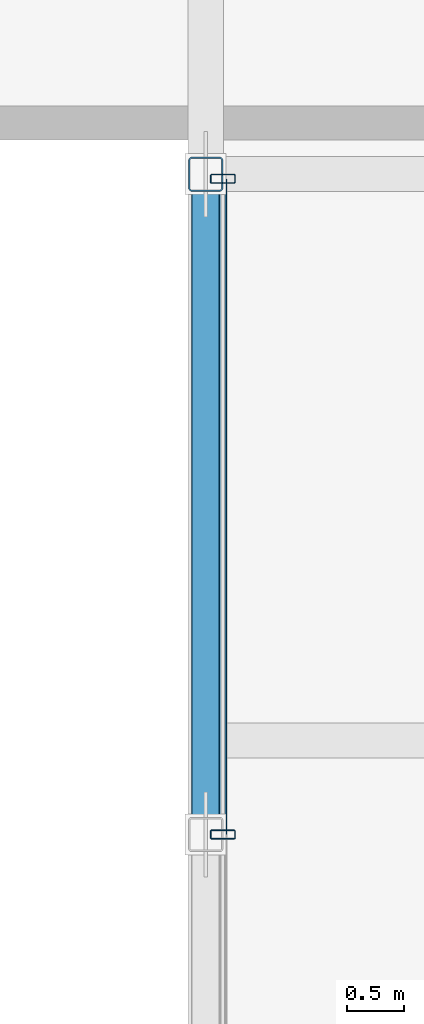
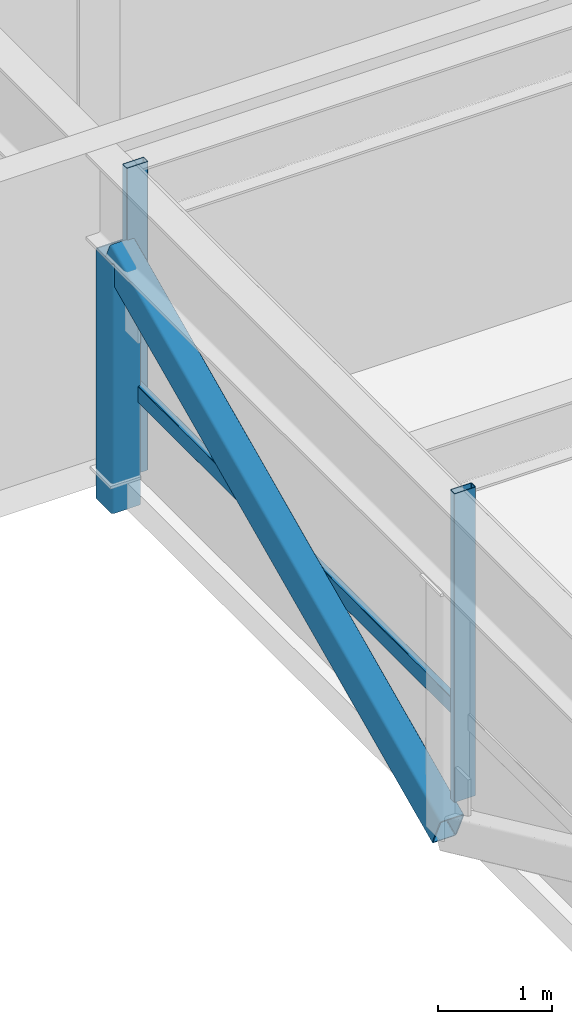
# One storey, part 6 of 36: 5 members, 1 element without a shape of its own.
"""IFC4 building model written with IfcOpenShell, lengths in metres."""

import ifcopenshell
import ifcopenshell.guid

model = None  # the IFC model being written
_history = None  # IfcOwnerHistory: only IFC2X3 demands one
_inside = {}  # id of a spatial element -> (the spatial element, [elements in it])
_under = {}  # id of a project, library or spatial element -> (it, [spatial elements below it])
_declared = {}  # id of a project -> (the project, [libraries it declares])
_typed = {}  # id of a type object -> (the type object, [elements of that type])
_made_of = {}  # id of a material, layer set ... -> (it, [elements and type objects made of it])


def new_model(schema):
    """Start an empty IFC model of exactly this schema.

    Asked for "IFC4X3", IfcOpenShell would pick the latest addendum, in which some entities
    have other attributes; the version numbers below select the first issue.
    IFC2X3 requires an IfcOwnerHistory on every rooted entity: one is made here for all.
    """
    global model, _history
    if schema == "IFC4X3":
        model = ifcopenshell.file(schema_version=(4, 3, 0, 0))
    else:
        model = ifcopenshell.file(schema=schema)
    _inside.clear()
    _under.clear()
    _declared.clear()
    _typed.clear()
    _made_of.clear()
    _history = None
    if model.schema == "IFC2X3":
        org = make("IfcOrganization", Name="unknown")
        user = make(
            "IfcPersonAndOrganization",
            ThePerson=make("IfcPerson", FamilyName="unknown"),
            TheOrganization=org,
        )
        app = make(
            "IfcApplication",
            ApplicationDeveloper=org,
            Version="unknown",
            ApplicationFullName="unknown",
            ApplicationIdentifier="unknown",
        )
        _history = make(
            "IfcOwnerHistory",
            OwningUser=user,
            OwningApplication=app,
            ChangeAction="ADDED",
            CreationDate=0,
        )
    return model


def make(cls, **values):
    """One entity of the class cls with the attributes given. An attribute that is None is left unset."""
    return model.create_entity(
        cls, **{name: value for name, value in values.items() if value is not None}
    )


def rooted(cls, **values):
    """An entity with a GlobalId (a new one), such as an element, a storey or a relation."""
    return make(cls, GlobalId=ifcopenshell.guid.new(), OwnerHistory=_history, **values)


def si_unit(unit_type, name, prefix=None):
    """IfcSIUnit, for example si_unit("LENGTHUNIT", "METRE", prefix="MILLI")."""
    return make("IfcSIUnit", UnitType=unit_type, Prefix=prefix, Name=name)


def assignment(units):
    """IfcUnitAssignment: the units of a project."""
    return None if units is None else make("IfcUnitAssignment", Units=units)


def point(xyz):
    """IfcCartesianPoint."""
    return None if xyz is None else make("IfcCartesianPoint", Coordinates=xyz)


def direction(xyz):
    """IfcDirection."""
    return None if xyz is None else make("IfcDirection", DirectionRatios=xyz)


def frame(location, z_axis=None, x_axis=None):
    """IfcAxis2Placement3D, a coordinate frame: its origin and axes. An axis left out is left unset."""
    return make(
        "IfcAxis2Placement3D",
        Location=point(location),
        Axis=direction(z_axis),
        RefDirection=direction(x_axis),
    )


def frame_2d(location, x_axis=None):
    """IfcAxis2Placement2D, a coordinate frame in the plane: its origin and x axis."""
    return make(
        "IfcAxis2Placement2D", Location=point(location), RefDirection=direction(x_axis)
    )


def origin():
    """The frame at (0, 0, 0) with its axes left unset."""
    return frame((0.0, 0.0, 0.0))


def origin_2d():
    """The frame at (0, 0) in the plane with its x axis left unset."""
    return frame_2d((0.0, 0.0))


def place(relative_to, where):
    """IfcLocalPlacement: puts the frame where relative to a parent placement (None: the world)."""
    return make(
        "IfcLocalPlacement", PlacementRelTo=relative_to, RelativePlacement=where
    )


def context(
    kind, dimensions, precision=None, world=None, true_north=None, identifier=None
):
    """IfcGeometricRepresentationContext, for example the 3D "Model" context."""
    return make(
        "IfcGeometricRepresentationContext",
        ContextIdentifier=identifier,
        ContextType=kind,
        CoordinateSpaceDimension=dimensions,
        Precision=precision,
        WorldCoordinateSystem=world,
        TrueNorth=true_north,
    )


def subcontext(parent, identifier, kind, view, scale=None):
    """IfcGeometricRepresentationSubContext, for example "Body" below "Model"."""
    return make(
        "IfcGeometricRepresentationSubContext",
        ContextIdentifier=identifier,
        ContextType=kind,
        ParentContext=parent,
        TargetScale=scale,
        TargetView=view,
    )


def project(units=None, contexts=None):
    """IfcProject with its units and contexts."""
    return rooted(
        "IfcProject",
        Name="project",
        RepresentationContexts=contexts,
        UnitsInContext=assignment(units),
    )


def spatial(cls, under=None, at=None, **own):
    """A site, building, storey or space (cls), placed at a placement, below another one or the project."""
    s = rooted(cls, ObjectPlacement=at, **own)
    if under is not None:
        _under.setdefault(under.id(), (under, []))[1].append(s)
    return s


def profile(cls, at=None, kind="AREA", **sizes):
    """A parametric profile (cls). Its sizes go by their IFC names, for example OverallWidth=200.0."""
    return make(cls, ProfileType=kind, Position=at, **sizes)


def hollow_rectangle(**sizes):
    """IfcRectangleHollowProfileDef."""
    return profile("IfcRectangleHollowProfileDef", **sizes)


def extrude(swept, where, along, depth):
    """IfcExtrudedAreaSolid: the profile swept, set in the frame where, extruded along a direction by depth."""
    return make(
        "IfcExtrudedAreaSolid",
        SweptArea=swept,
        Position=where,
        ExtrudedDirection=direction(along),
        Depth=depth,
    )


def shape(context_of_items, identifier, shape_type, items):
    """IfcShapeRepresentation: the items that make up one representation, for example the "Body"."""
    return make(
        "IfcShapeRepresentation",
        ContextOfItems=context_of_items,
        RepresentationIdentifier=identifier,
        RepresentationType=shape_type,
        Items=items,
    )


def material(Name=None, Category=None):
    """IfcMaterial."""
    return make("IfcMaterial", Name=Name, Category=Category)


def layer(
    of_material, thickness, ventilated=None, Name=None, Category=None, Priority=None
):
    """IfcMaterialLayer: one layer of a wall or slab, of a material (None: an air gap)."""
    return make(
        "IfcMaterialLayer",
        Material=of_material,
        LayerThickness=thickness,
        IsVentilated=ventilated,
        Name=Name,
        Category=Category,
        Priority=Priority,
    )


def layer_set(layers, Name=None):
    """IfcMaterialLayerSet."""
    return make("IfcMaterialLayerSet", MaterialLayers=layers, LayerSetName=Name)


def material_profile(
    of_material, cross_section, Name=None, Category=None, Priority=None
):
    """IfcMaterialProfile: a cross section and its material."""
    return make(
        "IfcMaterialProfile",
        Name=Name,
        Material=of_material,
        Profile=cross_section,
        Priority=Priority,
        Category=Category,
    )


def profile_set(profiles, Name=None, composite=None):
    """IfcMaterialProfileSet."""
    return make(
        "IfcMaterialProfileSet",
        Name=Name,
        MaterialProfiles=profiles,
        CompositeProfile=composite,
    )


def made_of(thing, what):
    """Note that an element or type object is made of a material, layer set ...; save() writes the relation."""
    if what is not None:
        _made_of.setdefault(what.id(), (what, []))[1].append(thing)
    return thing


def type_object(cls, material=None, **own):
    """A type object (cls), such as IfcWallType, which elements share."""
    return made_of(rooted(cls, **own), material)


def element(
    cls,
    number,
    at=None,
    inside=None,
    cuts=None,
    type_object=None,
    material=None,
    context=None,
    identifier="Body",
    shape_type=None,
    held_by="IfcProductDefinitionShape",
    body=None,
    shapes=None,
    **own,
):
    """One element of the class cls, such as IfcWall. Its Tag is "e" and its number.

    at: its placement. inside: the storey or other place that contains it. cuts: it is an
    opening in that element (IfcRelVoidsElement). A single representation is given by context,
    identifier, shape_type and body (its items); several are given by shapes. held_by: the class
    of the entity that holds the representations. save() writes the other relations.
    """
    e = rooted(cls, Tag="e%d" % number, ObjectPlacement=at, **own)
    if body is not None:
        shapes = [shape(context, identifier, shape_type, body)]
    if shapes is not None:
        e.Representation = make(held_by, Representations=shapes)
    if inside is not None:
        _inside.setdefault(inside.id(), (inside, []))[1].append(e)
    if cuts is not None:
        rooted(
            "IfcRelVoidsElement", RelatingBuildingElement=cuts, RelatedOpeningElement=e
        )
    if type_object is not None:
        _typed.setdefault(type_object.id(), (type_object, []))[1].append(e)
    return made_of(e, material)


def aggregate(whole, parts):
    """IfcRelAggregates: a whole, such as a stair, and the parts it consists of."""
    return rooted("IfcRelAggregates", RelatingObject=whole, RelatedObjects=parts)


def save(model, path):
    """Write the relations noted so far, then the file.

    IfcRelAggregates (storeys below a building ...), IfcRelContainedInSpatialStructure (elements
    in a storey), IfcRelDefinesByType, IfcRelAssociatesMaterial and IfcRelDeclares: one each for
    every whole, place, type object, material and project.
    """
    for whole, parts in _under.values():
        aggregate(whole, parts)
    for where, things in _inside.values():
        rooted(
            "IfcRelContainedInSpatialStructure",
            RelatedElements=things,
            RelatingStructure=where,
        )
    for kind, things in _typed.values():
        rooted("IfcRelDefinesByType", RelatedObjects=things, RelatingType=kind)
    for what, things in _made_of.values():
        rooted("IfcRelAssociatesMaterial", RelatedObjects=things, RelatingMaterial=what)
    for by, libraries in _declared.values():
        rooted("IfcRelDeclares", RelatingContext=by, RelatedDefinitions=libraries)
    model.write(path)


model = new_model("IFC4")

# Units and contexts
model_context = context("Model", 3, precision=1e-05, world=origin(), true_north=direction((0.0, 1.0)))
body_context = subcontext(model_context, "Body", "Model", "MODEL_VIEW")
ifc_project = project(units=[si_unit("LENGTHUNIT", "METRE"), si_unit("AREAUNIT", "SQUARE_METRE"), si_unit("VOLUMEUNIT", "CUBIC_METRE"), si_unit("PLANEANGLEUNIT", "RADIAN"), si_unit("MASSUNIT", "GRAM", prefix="KILO")], contexts=[model_context])

# Site, building, storey
site_placement = place(None, origin())
site = spatial("IfcSite", under=ifc_project, at=site_placement, CompositionType="ELEMENT")
building_placement = place(site_placement, origin())
building = spatial("IfcBuilding", under=site, at=building_placement, Name="Korimba Cascade Residences", CompositionType="ELEMENT")
storey_placement = place(building_placement, frame((0.0, 0.0, 139.300048828125)))
storey = spatial("IfcBuildingStorey", under=building, at=storey_placement, Name="L40", CompositionType="ELEMENT", Elevation=139.300048828125)

# Curtain wall, members
ifc_material_1 = material(Name="Anodised Aluminium Curtain Wall Framing", Category="aluminium")
ifc_layer = layer(ifc_material_1, 0.179931640625)
ifc_layer_set = layer_set([ifc_layer], Name="Anodised Aluminium Curtain Wall Framing")
curtain_wall_type = type_object("IfcCurtainWallType", Name="CW-BRG-SYS3", PredefinedType="NOTDEFINED", material=ifc_layer_set)
curtain_wall_placement = place(storey_placement, origin())
curtain_wall = element("IfcCurtainWall", 1, at=curtain_wall_placement, inside=storey, type_object=curtain_wall_type, Name="L40 Curtain Wall CW-L40-BRG-W", PredefinedType="NOTDEFINED")
ifc_material_2 = material(Name="Anodised Aluminium Mullion", Category="aluminium")
ifc_material_profile_1 = material_profile(ifc_material_2, hollow_rectangle(XDim=0.080078125, YDim=0.219970703125, WallThickness=0.00634765625, InnerFilletRadius=0.00634765625, OuterFilletRadius=0.0126953125, at=origin_2d()), Name="Anodised Aluminium Mullion")
ifc_profile_set_1 = profile_set([ifc_material_profile_1], Name="Anodised Aluminium Mullion")
member_type_1 = type_object("IfcMemberType", Name="CWM-MUL-220", PredefinedType="MULLION", material=ifc_profile_set_1)
member_1_placement = place(storey_placement, frame((82.25, 44.699951171875, 0.0), z_axis=(0.0, 0.0, 1.0), x_axis=(0.0, 1.0, 0.0)))
member_1 = element("IfcMember", 2, at=member_1_placement, type_object=member_type_1, Name="CW-L40-BRG-W Mullion 3", PredefinedType="MULLION", context=body_context, shape_type="SweptSolid", body=[
    extrude(hollow_rectangle(XDim=0.080078125, YDim=0.219970703125, WallThickness=0.00634765625, InnerFilletRadius=0.00634765625, OuterFilletRadius=0.0126953125, at=origin_2d()), origin(), (0.0, 0.0, 1.0), 3.31005859375),
])
member_2_placement = place(storey_placement, frame((82.25, 50.4599609375, 0.0), z_axis=(0.0, 0.0, 1.0), x_axis=(0.0, 1.0, 0.0)))
member_2 = element("IfcMember", 3, at=member_2_placement, type_object=member_type_1, Name="CW-L40-BRG-W Mullion 4", PredefinedType="MULLION", context=body_context, shape_type="SweptSolid", body=[
    extrude(hollow_rectangle(XDim=0.080078125, YDim=0.219970703125, WallThickness=0.00634765625, InnerFilletRadius=0.00634765625, OuterFilletRadius=0.0126953125, at=origin_2d()), origin(), (0.0, 0.0, 1.0), 3.31005859375),
])
ifc_material_3 = material(Name="Anodised Aluminium Transom", Category="aluminium")
ifc_material_profile_2 = material_profile(ifc_material_3, hollow_rectangle(XDim=0.070068359375, YDim=0.179931640625, WallThickness=0.0048828125, InnerFilletRadius=0.0048828125, OuterFilletRadius=0.010009765625, at=origin_2d()), Name="Anodised Aluminium Transom")
ifc_profile_set_2 = profile_set([ifc_material_profile_2], Name="Anodised Aluminium Transom")
member_type_2 = type_object("IfcMemberType", Name="CWM-TRN-150", PredefinedType="USERDEFINED", material=ifc_profile_set_2)
member_3_placement = place(storey_placement, frame((82.25, 44.699951171875, 0.89990234375), z_axis=(0.0, 1.0, 0.0), x_axis=(-1.0, 0.0, 0.0)))
member_3 = element("IfcMember", 4, at=member_3_placement, type_object=member_type_2, Name="CW-L40-BRG-W Transom 3", ObjectType="TRANSOM", PredefinedType="USERDEFINED", context=body_context, shape_type="SweptSolid", body=[
    extrude(hollow_rectangle(XDim=0.070068359375, YDim=0.179931640625, WallThickness=0.0048828125, InnerFilletRadius=0.0048828125, OuterFilletRadius=0.010009765625, at=origin_2d()), origin(), (0.0, 0.0, 1.0), 5.760009765625),
])
aggregate(curtain_wall, [member_1, member_2, member_3])

# Members
ifc_material_4 = material(Name="Steel S460", Category="steel")
ifc_material_profile_3 = material_profile(ifc_material_4, hollow_rectangle(XDim=0.25, YDim=0.35009765625, WallThickness=0.012451171875, InnerFilletRadius=0.012451171875, OuterFilletRadius=0.02490234375, at=origin_2d()), Name="Steel S460")
ifc_profile_set_3 = profile_set([ifc_material_profile_3], Name="Steel S460")
member_type_3 = type_object("IfcMemberType", Name="MEM-BRG-SHS350", PredefinedType="BRACE", material=ifc_profile_set_3)
member_4_placement = place(storey_placement, frame((82.10009765625, 44.699951171875, -0.2900390625), z_axis=(0.0, 0.9081740859, 0.418592677552), x_axis=(-1.0, 0.0, 0.0)))
element("IfcMember", 5, at=member_4_placement, inside=storey, type_object=member_type_3, Name="L40 Mid-Bridge Warren Diagonal W3", PredefinedType="BRACE", context=body_context, shape_type="SweptSolid", body=[
    extrude(hollow_rectangle(XDim=0.25, YDim=0.35009765625, WallThickness=0.012451171875, InnerFilletRadius=0.012451171875, OuterFilletRadius=0.02490234375, at=origin_2d()), origin(), (0.0, 0.0, 1.0), 6.386474609375),
])
ifc_material_profile_4 = material_profile(ifc_material_4, hollow_rectangle(XDim=0.300048828125, YDim=0.300048828125, WallThickness=0.012451171875, InnerFilletRadius=0.012451171875, OuterFilletRadius=0.02490234375, at=origin_2d()), Name="Steel S460")
ifc_profile_set_4 = profile_set([ifc_material_profile_4], Name="Steel S460")
member_type_4 = type_object("IfcMemberType", Name="MEM-BRG-STR300", PredefinedType="STRUT", material=ifc_profile_set_4)
member_5_placement = place(storey_placement, frame((82.10009765625, 50.5, -0.2900390625), z_axis=(0.0, 0.0, 1.0), x_axis=(1.0, 0.0, 0.0)))
element("IfcMember", 6, at=member_5_placement, inside=storey, type_object=member_type_4, Name="L40 Mid-Bridge Warren Web Post W4", PredefinedType="STRUT", context=body_context, shape_type="SweptSolid", body=[
    extrude(hollow_rectangle(XDim=0.300048828125, YDim=0.300048828125, WallThickness=0.012451171875, InnerFilletRadius=0.012451171875, OuterFilletRadius=0.02490234375, at=origin_2d()), origin(), (0.0, 0.0, 1.0), 2.67333984375),
])

save(model, "model.ifc")
